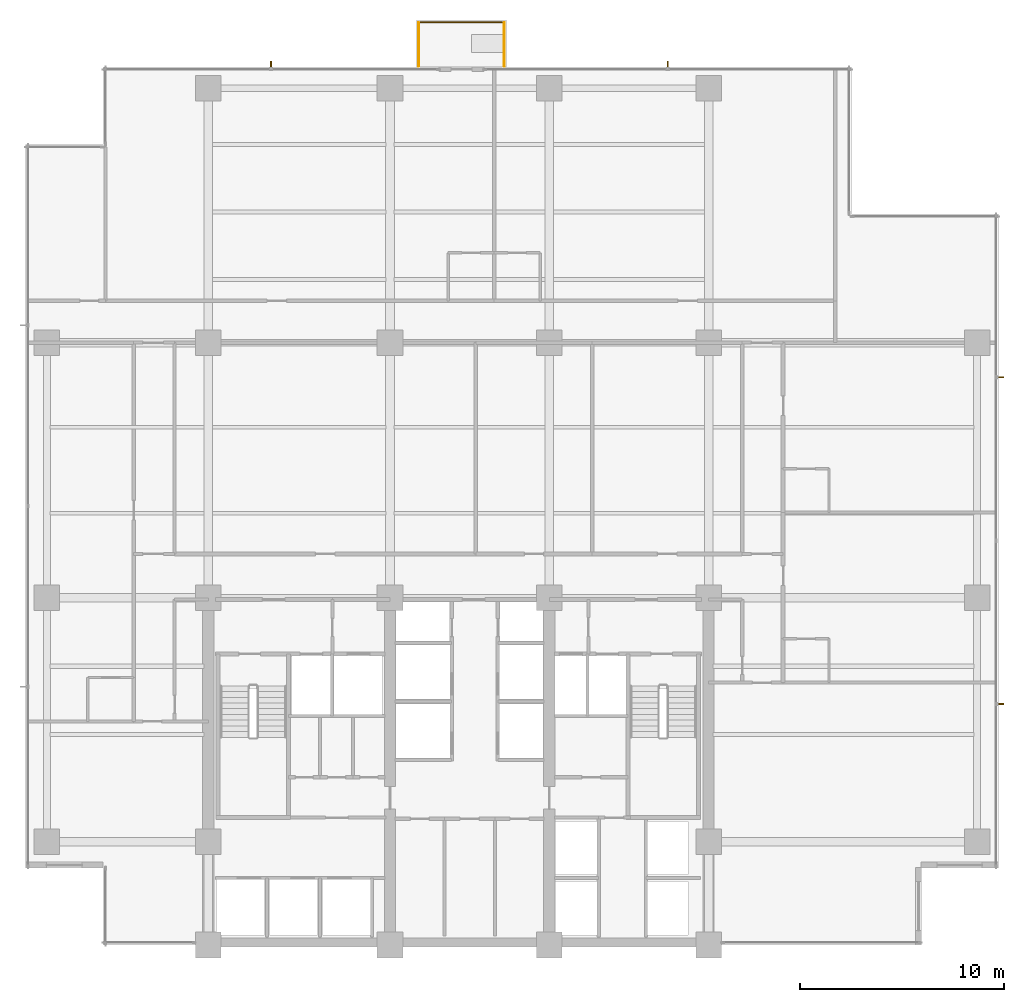
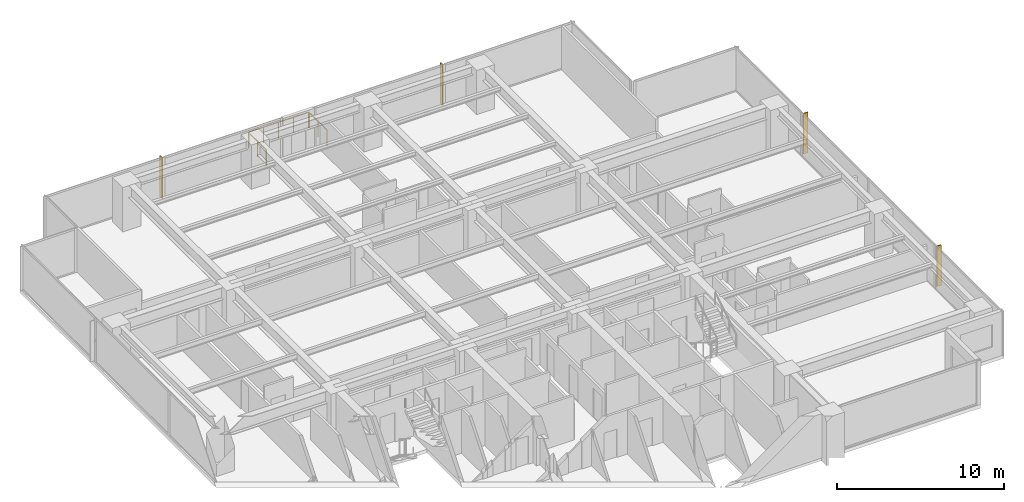
# One storey, part 16 of 16: 4 shading devices, 3 railings.
"""IFC4 building model written with IfcOpenShell, lengths in metres."""

from ifc_helpers import new_model, si_unit, direction, frame, origin, origin_2d, place, context, subcontext, project, spatial, polyline, circle, outline, extrude, material, layer, layer_set, type_object, element, save


model = new_model("IFC4")

# Units and contexts
model_context = context("Model", 3, precision=1e-05, world=origin(), true_north=direction((0.0, 1.0)))
body_context = subcontext(model_context, "Body", "Model", "MODEL_VIEW")
ifc_project = project(units=[si_unit("LENGTHUNIT", "METRE"), si_unit("AREAUNIT", "SQUARE_METRE"), si_unit("VOLUMEUNIT", "CUBIC_METRE"), si_unit("PLANEANGLEUNIT", "RADIAN"), si_unit("MASSUNIT", "GRAM", prefix="KILO")], contexts=[model_context])

# Site, building, storey
site_placement = place(None, origin())
site = spatial("IfcSite", under=ifc_project, at=site_placement, CompositionType="ELEMENT")
building_placement = place(site_placement, origin())
building = spatial("IfcBuilding", under=site, at=building_placement, Name="Qalmaran Belvedere Hotel", CompositionType="ELEMENT")
storey_placement = place(building_placement, frame((0.0, 0.0, 123.199951171875)))
storey = spatial("IfcBuildingStorey", under=building, at=storey_placement, Name="L31", CompositionType="ELEMENT", Elevation=123.199951171875)

# Shading devices
ifc_material = material(Name="Anodised Bronze Aluminium", Category="aluminium")
ifc_layer = layer(ifc_material, 0.06494140625, Name="Anodised Bronze Aluminium")
ifc_layer_set = layer_set([ifc_layer], Name="Anodised Bronze Aluminium")
shading_device_type = type_object("IfcShadingDeviceType", Name="FIN-BRNZ-300", PredefinedType="USERDEFINED", material=ifc_layer_set)
shading_device_1_placement = place(storey_placement, frame((0.0, 0.0, 0.16015625)))
element("IfcShadingDevice", 1, at=shading_device_1_placement, inside=storey, type_object=shading_device_type, Name="L31 Bronze Fin 1", ObjectType="FIN", PredefinedType="USERDEFINED", context=body_context, shape_type="SweptSolid", body=[
    extrude(outline(polyline([(58.969970703125, 15.267578125), (59.27001953125, 15.267578125), (59.27001953125, 15.33251953125), (58.969970703125, 15.33251953125), (58.969970703125, 15.267578125)])), origin(), (0.0, 0.0, 1.0), 2.9599609375),
])
shading_device_2_placement = place(storey_placement, frame((0.0, 0.0, 0.16015625)))
element("IfcShadingDevice", 2, at=shading_device_2_placement, inside=storey, type_object=shading_device_type, Name="L31 Bronze Fin 3", ObjectType="FIN", PredefinedType="USERDEFINED", context=body_context, shape_type="SweptSolid", body=[
    extrude(outline(polyline([(58.969970703125, 31.267578125), (59.27001953125, 31.267578125), (59.27001953125, 31.33251953125), (58.969970703125, 31.33251953125), (58.969970703125, 31.267578125)])), origin(), (0.0, 0.0, 1.0), 2.9599609375),
])
shading_device_3_placement = place(storey_placement, frame((0.0, 0.0, 0.16015625)))
element("IfcShadingDevice", 3, at=shading_device_3_placement, inside=storey, type_object=shading_device_type, Name="L31 Bronze Fin 1", ObjectType="FIN", PredefinedType="USERDEFINED", context=body_context, shape_type="SweptSolid", body=[
    extrude(outline(polyline([(23.407470703125, 46.469970703125), (23.407470703125, 46.77001953125), (23.342529296875, 46.77001953125), (23.342529296875, 46.469970703125), (23.407470703125, 46.469970703125)])), origin(), (0.0, 0.0, 1.0), 2.9599609375),
])
shading_device_4_placement = place(storey_placement, frame((0.0, 0.0, 0.16015625)))
element("IfcShadingDevice", 4, at=shading_device_4_placement, inside=storey, type_object=shading_device_type, Name="L31 Bronze Fin 1", ObjectType="FIN", PredefinedType="USERDEFINED", context=body_context, shape_type="SweptSolid", body=[
    extrude(outline(polyline([(42.83251953125, 46.469970703125), (42.83251953125, 46.77001953125), (42.767578125, 46.77001953125), (42.767578125, 46.469970703125), (42.83251953125, 46.469970703125)])), origin(), (0.0, 0.0, 1.0), 2.9599609375),
])

# Railings
railing_type = type_object("IfcRailingType", Name="GRD-BAL-1150", PredefinedType="BALUSTRADE", material=ifc_material)
railing_1_placement = place(storey_placement, frame((30.60009765625, 46.534912109375, 0.0)))
element("IfcRailing", 5, at=railing_1_placement, inside=storey, type_object=railing_type, Name="L31 Guardrail BAL-L31-N-1", PredefinedType="BALUSTRADE", context=body_context, shape_type="SweptSolid", body=[
    extrude(circle(Radius=0.02392578125, at=origin_2d()), frame((0.0, 0.0, 1.1259765625), z_axis=(0.0, 1.0, 0.0), x_axis=(-1.0, 0.0, 0.0)), (0.0, 0.0, 1.0), 2.130126953125),
    extrude(circle(Radius=0.02099609375, at=origin_2d()), origin(), (0.0, 0.0, 1.0), 1.101806640625),
    extrude(circle(Radius=0.02099609375, at=origin_2d()), frame((0.0, 1.06494140625, 0.0)), (0.0, 0.0, 1.0), 1.101806640625),
    extrude(circle(Radius=0.02099609375, at=origin_2d()), frame((0.0, 2.130126953125, 0.0)), (0.0, 0.0, 1.0), 1.101806640625),
])
railing_2_placement = place(storey_placement, frame((30.635009765625, 48.699951171875, 0.0)))
element("IfcRailing", 6, at=railing_2_placement, inside=storey, type_object=railing_type, Name="L31 Guardrail BAL-L31-N-2", PredefinedType="BALUSTRADE", context=body_context, shape_type="SweptSolid", body=[
    extrude(circle(Radius=0.02392578125, at=origin_2d()), frame((0.0, 0.0, 1.1259765625), z_axis=(1.0, 0.0, 0.0), x_axis=(0.0, 1.0, 0.0)), (0.0, 0.0, 1.0), 4.1298828125),
    extrude(circle(Radius=0.02099609375, at=origin_2d()), origin(), (0.0, 0.0, 1.0), 1.101806640625),
    extrude(circle(Radius=0.02099609375, at=origin_2d()), frame((1.032470703125, 0.0, 0.0)), (0.0, 0.0, 1.0), 1.101806640625),
    extrude(circle(Radius=0.02099609375, at=origin_2d()), frame((2.06494140625, 0.0, 0.0)), (0.0, 0.0, 1.0), 1.101806640625),
    extrude(circle(Radius=0.02099609375, at=origin_2d()), frame((3.097412109375, 0.0, 0.0)), (0.0, 0.0, 1.0), 1.101806640625),
    extrude(circle(Radius=0.02099609375, at=origin_2d()), frame((4.1298828125, 0.0, 0.0)), (0.0, 0.0, 1.0), 1.101806640625),
])
railing_3_placement = place(storey_placement, frame((34.800048828125, 48.6650390625, 0.0)))
element("IfcRailing", 7, at=railing_3_placement, inside=storey, type_object=railing_type, Name="L31 Guardrail BAL-L31-N-3", PredefinedType="BALUSTRADE", context=body_context, shape_type="SweptSolid", body=[
    extrude(circle(Radius=0.02392578125, at=origin_2d()), frame((0.0, 0.0, 1.1259765625), z_axis=(0.0, -1.0, 0.0), x_axis=(1.0, 0.0, 0.0)), (0.0, 0.0, 1.0), 2.130126953125),
    extrude(circle(Radius=0.02099609375, at=origin_2d()), origin(), (0.0, 0.0, 1.0), 1.101806640625),
    extrude(circle(Radius=0.02099609375, at=origin_2d()), frame((0.0, -1.06494140625, 0.0)), (0.0, 0.0, 1.0), 1.101806640625),
    extrude(circle(Radius=0.02099609375, at=origin_2d()), frame((0.0, -2.130126953125, 0.0)), (0.0, 0.0, 1.0), 1.101806640625),
])

save(model, "model.ifc")
